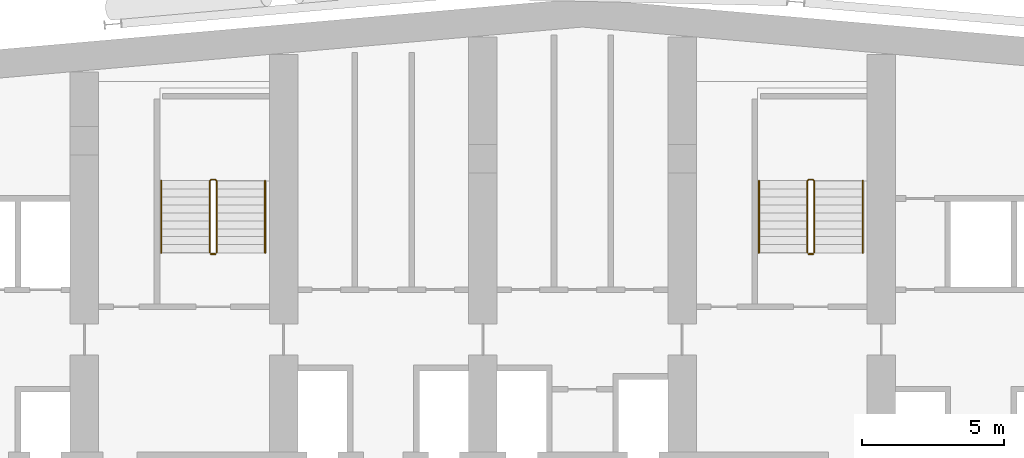
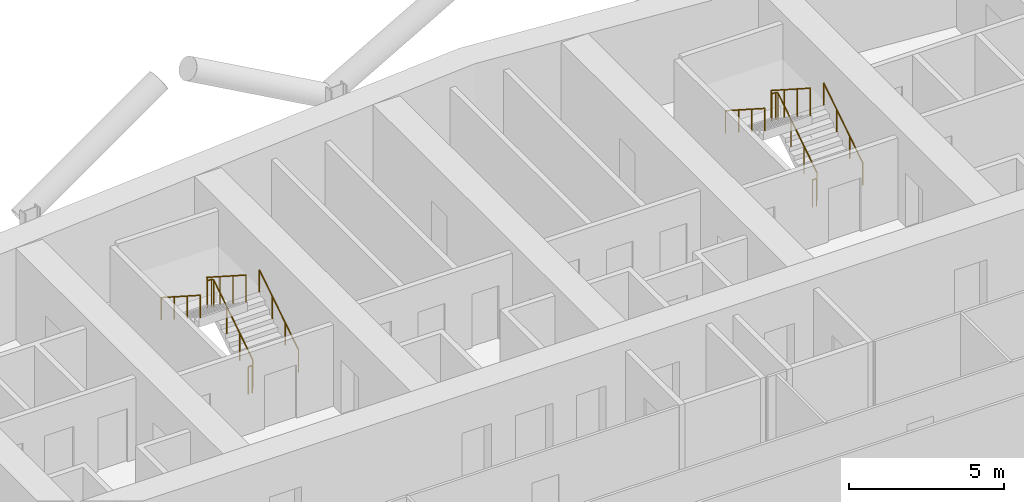
# One storey, part 29 of 30: 8 railings.
"""IFC4 building model written with IfcOpenShell, lengths in metres."""

from ifc_helpers import new_model, si_unit, direction, frame, origin, origin_2d, place, context, subcontext, project, spatial, circle, extrude, material, type_object, element, save


model = new_model("IFC4")

# Units and contexts
model_context = context("Model", 3, precision=1e-05, world=origin(), true_north=direction((0.0, 1.0)))
body_context = subcontext(model_context, "Body", "Model", "MODEL_VIEW")
ifc_project = project(units=[si_unit("LENGTHUNIT", "METRE"), si_unit("AREAUNIT", "SQUARE_METRE"), si_unit("VOLUMEUNIT", "CUBIC_METRE"), si_unit("PLANEANGLEUNIT", "RADIAN"), si_unit("MASSUNIT", "GRAM", prefix="KILO")], contexts=[model_context])

# Site, building, storey
site_placement = place(None, origin())
site = spatial("IfcSite", under=ifc_project, at=site_placement, CompositionType="ELEMENT")
building_placement = place(site_placement, origin())
building = spatial("IfcBuilding", under=site, at=building_placement, Name="Wharfspan Tower", CompositionType="ELEMENT")
storey_placement = place(building_placement, frame((0.0, 0.0, 107.5)))
storey = spatial("IfcBuildingStorey", under=building, at=storey_placement, Name="L24", CompositionType="ELEMENT", Elevation=107.5)

# Railings
ifc_material = material(Name="Steel S355J2", Category="steel")
railing_type_1 = type_object("IfcRailingType", Name="Stair guard 1100", PredefinedType="GUARDRAIL", material=ifc_material)
railing_1_placement = place(storey_placement, frame((27.649902, 42.0, 0.179932)))
element("IfcRailing", 1, at=railing_1_placement, inside=storey, type_object=railing_type_1, Name="L24 ST1 stair guard 1", PredefinedType="GUARDRAIL", context=body_context, shape_type="SweptSolid", body=[
    extrude(circle(Radius=0.023926, at=origin_2d()), frame((0.0, 0.0, 1.076172), z_axis=(0.0, 0.841163, 0.540782), x_axis=(-1.0, 0.0, 0.0)), (0.0, 0.0, 1.0), 2.99585),
    extrude(circle(Radius=0.023926, at=origin_2d()), frame((0.0, 2.52002, 2.696289), z_axis=(-0.705376, 0.708834, 0.0), x_axis=(-0.708834, -0.705376, 0.0)), (0.0, 0.0, 1.0), 0.070557),
    extrude(circle(Radius=0.023926, at=origin_2d()), frame((-0.049805, 2.570068, 2.696289), z_axis=(-1.0, 0.0, 0.0), x_axis=(0.0, -1.0, 0.0)), (0.0, 0.0, 1.0), 0.150146),
    extrude(circle(Radius=0.023926, at=origin_2d()), frame((-0.199951, 2.570068, 2.696289), z_axis=(-0.258848, -0.258848, 0.930589), x_axis=(0.707107, -0.707107, 0.0)), (0.0, 0.0, 1.0), 0.193359),
    extrude(circle(Radius=0.023926, at=origin_2d()), frame((-0.25, 2.52002, 2.875977), z_axis=(0.0, -0.841163, 0.540782), x_axis=(1.0, 0.0, 0.0)), (0.0, 0.0, 1.0), 2.99585),
    extrude(circle(Radius=0.020996, at=origin_2d()), origin(), (0.0, 0.0, 1.0), 1.052002),
    extrude(circle(Radius=0.020996, at=origin_2d()), frame((0.0, 0.840088, 0.540039)), (0.0, 0.0, 1.0), 1.052002),
    extrude(circle(Radius=0.020996, at=origin_2d()), frame((0.0, 1.679932, 1.080078)), (0.0, 0.0, 1.0), 1.052002),
    extrude(circle(Radius=0.020996, at=origin_2d()), frame((0.0, 2.52002, 1.620117)), (0.0, 0.0, 1.0), 1.052002),
    extrude(circle(Radius=0.020996, at=origin_2d()), frame((-0.049805, 2.570068, 1.620117)), (0.0, 0.0, 1.0), 1.052002),
    extrude(circle(Radius=0.020996, at=origin_2d()), frame((-0.199951, 2.570068, 1.620117)), (0.0, 0.0, 1.0), 1.052002),
    extrude(circle(Radius=0.020996, at=origin_2d()), frame((-0.25, 2.52002, 1.800049)), (0.0, 0.0, 1.0), 1.052002),
    extrude(circle(Radius=0.020996, at=origin_2d()), frame((-0.25, 1.679932, 2.340088)), (0.0, 0.0, 1.0), 1.052002),
    extrude(circle(Radius=0.020996, at=origin_2d()), frame((-0.25, 0.840088, 2.880127)), (0.0, 0.0, 1.0), 1.052002),
    extrude(circle(Radius=0.020996, at=origin_2d()), frame((-0.25, 0.0, 3.420166)), (0.0, 0.0, 1.0), 1.052002),
])
railing_2_placement = place(storey_placement, frame((27.600098, 41.949951, 0.0)))
element("IfcRailing", 2, at=railing_2_placement, inside=storey, type_object=railing_type_1, Name="L24 ST1 stair guard 2", PredefinedType="GUARDRAIL", context=body_context, shape_type="SweptSolid", body=[
    extrude(circle(Radius=0.023926, at=origin_2d()), frame((0.0, 0.0, 1.076172), z_axis=(-1.0, 0.0, 0.0), x_axis=(0.0, -1.0, 0.0)), (0.0, 0.0, 1.0), 0.150146),
    extrude(circle(Radius=0.020996, at=origin_2d()), origin(), (0.0, 0.0, 1.0), 1.052002),
    extrude(circle(Radius=0.020996, at=origin_2d()), frame((-0.150146, 0.0, 0.0)), (0.0, 0.0, 1.0), 1.052002),
])
railing_3_placement = place(storey_placement, frame((48.649902, 42.0, 0.179932)))
element("IfcRailing", 3, at=railing_3_placement, inside=storey, type_object=railing_type_1, Name="L24 ST2 stair guard 1", PredefinedType="GUARDRAIL", context=body_context, shape_type="SweptSolid", body=[
    extrude(circle(Radius=0.023926, at=origin_2d()), frame((0.0, 0.0, 1.076172), z_axis=(0.0, 0.841163, 0.540782), x_axis=(-1.0, 0.0, 0.0)), (0.0, 0.0, 1.0), 2.99585),
    extrude(circle(Radius=0.023926, at=origin_2d()), frame((0.0, 2.52002, 2.696289), z_axis=(-0.705376, 0.708834, 0.0), x_axis=(-0.708834, -0.705376, 0.0)), (0.0, 0.0, 1.0), 0.070557),
    extrude(circle(Radius=0.023926, at=origin_2d()), frame((-0.049805, 2.570068, 2.696289), z_axis=(-1.0, 0.0, 0.0), x_axis=(0.0, -1.0, 0.0)), (0.0, 0.0, 1.0), 0.150146),
    extrude(circle(Radius=0.023926, at=origin_2d()), frame((-0.199951, 2.570068, 2.696289), z_axis=(-0.258848, -0.258848, 0.930589), x_axis=(0.707107, -0.707107, 0.0)), (0.0, 0.0, 1.0), 0.193359),
    extrude(circle(Radius=0.023926, at=origin_2d()), frame((-0.25, 2.52002, 2.875977), z_axis=(0.0, -0.841163, 0.540782), x_axis=(1.0, 0.0, 0.0)), (0.0, 0.0, 1.0), 2.99585),
    extrude(circle(Radius=0.020996, at=origin_2d()), origin(), (0.0, 0.0, 1.0), 1.052002),
    extrude(circle(Radius=0.020996, at=origin_2d()), frame((0.0, 0.840088, 0.540039)), (0.0, 0.0, 1.0), 1.052002),
    extrude(circle(Radius=0.020996, at=origin_2d()), frame((0.0, 1.679932, 1.080078)), (0.0, 0.0, 1.0), 1.052002),
    extrude(circle(Radius=0.020996, at=origin_2d()), frame((0.0, 2.52002, 1.620117)), (0.0, 0.0, 1.0), 1.052002),
    extrude(circle(Radius=0.020996, at=origin_2d()), frame((-0.049805, 2.570068, 1.620117)), (0.0, 0.0, 1.0), 1.052002),
    extrude(circle(Radius=0.020996, at=origin_2d()), frame((-0.199951, 2.570068, 1.620117)), (0.0, 0.0, 1.0), 1.052002),
    extrude(circle(Radius=0.020996, at=origin_2d()), frame((-0.25, 2.52002, 1.800049)), (0.0, 0.0, 1.0), 1.052002),
    extrude(circle(Radius=0.020996, at=origin_2d()), frame((-0.25, 1.679932, 2.340088)), (0.0, 0.0, 1.0), 1.052002),
    extrude(circle(Radius=0.020996, at=origin_2d()), frame((-0.25, 0.840088, 2.880127)), (0.0, 0.0, 1.0), 1.052002),
    extrude(circle(Radius=0.020996, at=origin_2d()), frame((-0.25, 0.0, 3.420166)), (0.0, 0.0, 1.0), 1.052002),
])
railing_4_placement = place(storey_placement, frame((48.600098, 41.949951, 0.0)))
element("IfcRailing", 4, at=railing_4_placement, inside=storey, type_object=railing_type_1, Name="L24 ST2 stair guard 2", PredefinedType="GUARDRAIL", context=body_context, shape_type="SweptSolid", body=[
    extrude(circle(Radius=0.023926, at=origin_2d()), frame((0.0, 0.0, 1.076172), z_axis=(-1.0, 0.0, 0.0), x_axis=(0.0, -1.0, 0.0)), (0.0, 0.0, 1.0), 0.150146),
    extrude(circle(Radius=0.020996, at=origin_2d()), origin(), (0.0, 0.0, 1.0), 1.052002),
    extrude(circle(Radius=0.020996, at=origin_2d()), frame((-0.150146, 0.0, 0.0)), (0.0, 0.0, 1.0), 1.052002),
])
railing_type_2 = type_object("IfcRailingType", Name="Stair handrail 900", PredefinedType="HANDRAIL", material=ifc_material)
railing_5_placement = place(storey_placement, frame((29.350098, 42.0, 0.179932)))
element("IfcRailing", 5, at=railing_5_placement, inside=storey, type_object=railing_type_2, Name="L24 ST1 stair handrail 1", PredefinedType="HANDRAIL", context=body_context, shape_type="SweptSolid", body=[
    extrude(circle(Radius=0.023926, at=origin_2d()), frame((0.0, 0.0, 0.875977), z_axis=(0.0, 0.841163, 0.540782), x_axis=(-1.0, 0.0, 0.0)), (0.0, 0.0, 1.0), 2.99585),
    extrude(circle(Radius=0.020996, at=origin_2d()), origin(), (0.0, 0.0, 1.0), 0.851807),
    extrude(circle(Radius=0.020996, at=origin_2d()), frame((0.0, 0.840088, 0.540039)), (0.0, 0.0, 1.0), 0.851807),
    extrude(circle(Radius=0.020996, at=origin_2d()), frame((0.0, 1.679932, 1.080078)), (0.0, 0.0, 1.0), 0.851807),
    extrude(circle(Radius=0.020996, at=origin_2d()), frame((0.0, 2.52002, 1.620117)), (0.0, 0.0, 1.0), 0.851807),
])
railing_6_placement = place(storey_placement, frame((25.699951, 44.52002, 1.97998)))
element("IfcRailing", 6, at=railing_6_placement, inside=storey, type_object=railing_type_2, Name="L24 ST1 stair handrail 2", PredefinedType="HANDRAIL", context=body_context, shape_type="SweptSolid", body=[
    extrude(circle(Radius=0.023926, at=origin_2d()), frame((0.0, 0.0, 0.875977), z_axis=(0.0, -0.841163, 0.540782), x_axis=(1.0, 0.0, 0.0)), (0.0, 0.0, 1.0), 2.99585),
    extrude(circle(Radius=0.020996, at=origin_2d()), origin(), (0.0, 0.0, 1.0), 0.851807),
    extrude(circle(Radius=0.020996, at=origin_2d()), frame((0.0, -0.840088, 0.540039)), (0.0, 0.0, 1.0), 0.851807),
    extrude(circle(Radius=0.020996, at=origin_2d()), frame((0.0, -1.679932, 1.080078)), (0.0, 0.0, 1.0), 0.851807),
    extrude(circle(Radius=0.020996, at=origin_2d()), frame((0.0, -2.52002, 1.620117)), (0.0, 0.0, 1.0), 0.851807),
])
railing_7_placement = place(storey_placement, frame((50.350098, 42.0, 0.179932)))
element("IfcRailing", 7, at=railing_7_placement, inside=storey, type_object=railing_type_2, Name="L24 ST2 stair handrail 1", PredefinedType="HANDRAIL", context=body_context, shape_type="SweptSolid", body=[
    extrude(circle(Radius=0.023926, at=origin_2d()), frame((0.0, 0.0, 0.875977), z_axis=(0.0, 0.841163, 0.540782), x_axis=(-1.0, 0.0, 0.0)), (0.0, 0.0, 1.0), 2.99585),
    extrude(circle(Radius=0.020996, at=origin_2d()), origin(), (0.0, 0.0, 1.0), 0.851807),
    extrude(circle(Radius=0.020996, at=origin_2d()), frame((0.0, 0.840088, 0.540039)), (0.0, 0.0, 1.0), 0.851807),
    extrude(circle(Radius=0.020996, at=origin_2d()), frame((0.0, 1.679932, 1.080078)), (0.0, 0.0, 1.0), 0.851807),
    extrude(circle(Radius=0.020996, at=origin_2d()), frame((0.0, 2.52002, 1.620117)), (0.0, 0.0, 1.0), 0.851807),
])
railing_8_placement = place(storey_placement, frame((46.699951, 44.52002, 1.97998)))
element("IfcRailing", 8, at=railing_8_placement, inside=storey, type_object=railing_type_2, Name="L24 ST2 stair handrail 2", PredefinedType="HANDRAIL", context=body_context, shape_type="SweptSolid", body=[
    extrude(circle(Radius=0.023926, at=origin_2d()), frame((0.0, 0.0, 0.875977), z_axis=(0.0, -0.841163, 0.540782), x_axis=(1.0, 0.0, 0.0)), (0.0, 0.0, 1.0), 2.99585),
    extrude(circle(Radius=0.020996, at=origin_2d()), origin(), (0.0, 0.0, 1.0), 0.851807),
    extrude(circle(Radius=0.020996, at=origin_2d()), frame((0.0, -0.840088, 0.540039)), (0.0, 0.0, 1.0), 0.851807),
    extrude(circle(Radius=0.020996, at=origin_2d()), frame((0.0, -1.679932, 1.080078)), (0.0, 0.0, 1.0), 0.851807),
    extrude(circle(Radius=0.020996, at=origin_2d()), frame((0.0, -2.52002, 1.620117)), (0.0, 0.0, 1.0), 0.851807),
])

save(model, "model.ifc")
